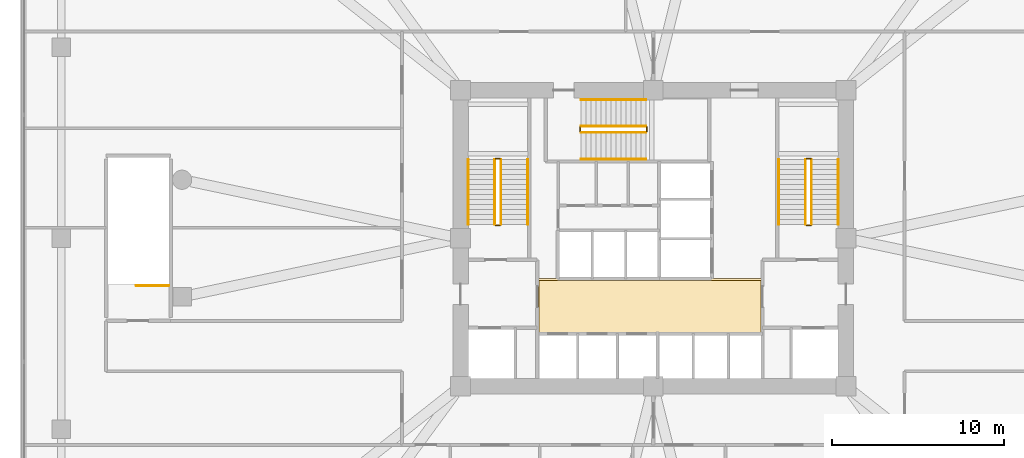
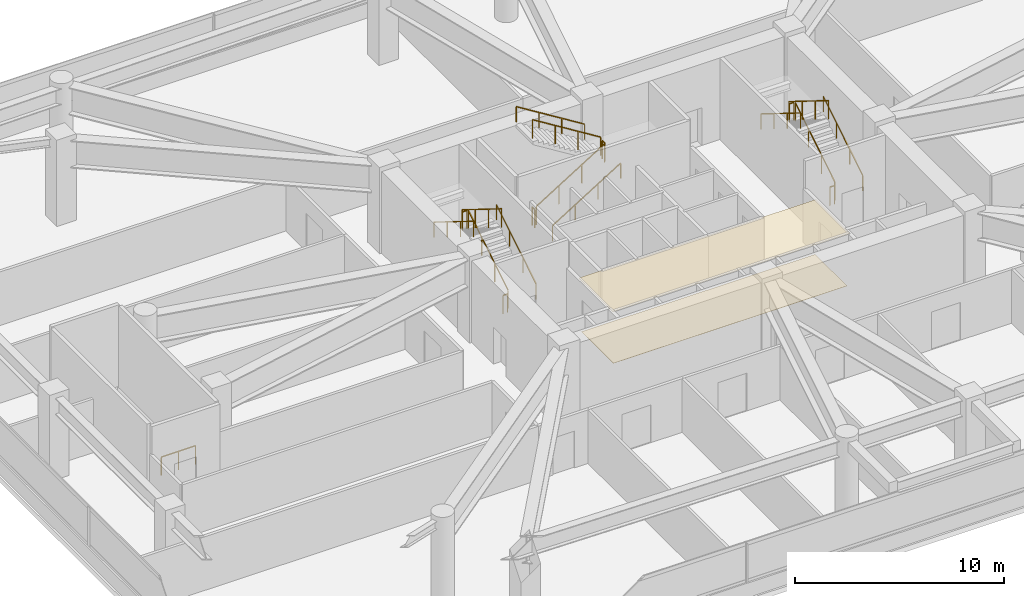
# One storey, part 20 of 21: 19 railings, 2 coverings.
"""IFC4 building model written with IfcOpenShell, lengths in metres."""

from ifc_helpers import new_model, si_unit, derived_unit, direction, frame, origin, origin_2d, place, context, subcontext, project, spatial, polyline, rectangle, outline, extrude, material, layer, layer_set, type_object, element, save


model = new_model("IFC4")

# Units and contexts
model_context = context("Model", 3, precision=1e-05, world=origin(), true_north=direction((0.0, 1.0)))
body_context = subcontext(model_context, "Body", "Model", "MODEL_VIEW")
ifc_project = project(units=[si_unit("LENGTHUNIT", "METRE"), si_unit("AREAUNIT", "SQUARE_METRE"), si_unit("VOLUMEUNIT", "CUBIC_METRE"), si_unit("PLANEANGLEUNIT", "RADIAN"), si_unit("MASSUNIT", "GRAM", prefix="KILO"), derived_unit("THERMALTRANSMITTANCEUNIT", [(si_unit("POWERUNIT", "WATT"), 1), (si_unit("LENGTHUNIT", "METRE"), -2), (si_unit("THERMODYNAMICTEMPERATUREUNIT", "KELVIN"), -1)])], contexts=[model_context])

# Site, building, storey
site_placement = place(None, origin())
site = spatial("IfcSite", under=ifc_project, at=site_placement, CompositionType="ELEMENT")
building_placement = place(site_placement, origin())
building = spatial("IfcBuilding", under=site, at=building_placement, Name="Koralith Skygarden Medical Center", CompositionType="ELEMENT")
storey_placement = place(building_placement, frame((0.0, 0.0, 18.89990234375)))
storey = spatial("IfcBuildingStorey", under=building, at=storey_placement, Name="L04", CompositionType="ELEMENT", Elevation=18.89990234375)

# Coverings
ifc_material_1 = material(Name="Acoustic Mineral Tile")
ifc_layer_1 = layer(ifc_material_1, 0.02001953125)
ifc_layer_set_1 = layer_set([ifc_layer_1], Name="Acoustic Mineral Tile")
covering_type_1 = type_object("IfcCoveringType", Name="Acoustic Hygienic Mineral Ceiling 20", PredefinedType="CEILING", material=ifc_layer_set_1)
covering_1_placement = place(storey_placement, frame((0.0, 0.0, 3.10498046875)))
element("IfcCovering", 1, at=covering_1_placement, inside=storey, type_object=covering_type_1, Name="L04 Core Lobby Acoustic Ceiling", PredefinedType="CEILING", context=body_context, shape_type="SweptSolid", body=[
    extrude(outline(polyline([(30.25, 20.320068359375), (43.35009765625, 20.320068359375), (43.35009765625, 23.56005859375), (30.25, 23.56005859375), (30.25, 20.320068359375)])), origin(), (0.0, 0.0, 1.0), 0.02001953125),
])
ifc_material_2 = material(Name="Medical Terrazzo Flooring")
ifc_layer_2 = layer(ifc_material_2, 0.014892578125)
ifc_layer_set_2 = layer_set([ifc_layer_2], Name="Medical Terrazzo Flooring")
covering_type_2 = type_object("IfcCoveringType", Name="Seamless Antimicrobial Terrazzo Flooring 15", PredefinedType="FLOORING", material=ifc_layer_set_2)
covering_2_placement = place(storey_placement, origin())
element("IfcCovering", 2, at=covering_2_placement, inside=storey, type_object=covering_type_2, Name="L04 Core Lobby Terrazzo Flooring", PredefinedType="FLOORING", context=body_context, shape_type="SweptSolid", body=[
    extrude(outline(polyline([(30.35009765625, 20.419921875), (43.25, 20.419921875), (43.25, 23.4599609375), (30.35009765625, 23.4599609375), (30.35009765625, 20.419921875)])), origin(), (0.0, 0.0, 1.0), 0.01513671875),
])

# Railings
ifc_material_3 = material(Name="Steel ASTM A500 Grade C", Category="steel")
railing_type_1 = type_object("IfcRailingType", Name="Stair Flight Tubular Handrail 920", PredefinedType="HANDRAIL", material=ifc_material_3)
railing_1_placement = place(storey_placement, frame((29.699951171875, 26.699951171875, 0.18017578125)))
element("IfcRailing", 3, at=railing_1_placement, inside=storey, type_object=railing_type_1, Name="L04 ST1 stair handrail 1", PredefinedType="HANDRAIL", context=body_context, shape_type="SweptSolid", body=[
    extrude(rectangle(XDim=0.050048828125, YDim=0.050048828125, at=origin_2d()), frame((0.0, 0.001708984375, 0.89599609375), z_axis=(0.0, 0.849657168412, 0.527335468337), x_axis=(-1.0, 0.0, 0.0)), (0.0, 0.0, 1.0), 4.43310546875),
    extrude(rectangle(XDim=0.0419921875, YDim=0.0419921875, at=origin_2d()), origin(), (0.0, 0.0, 1.0), 0.867919921875),
    extrude(rectangle(XDim=0.0419921875, YDim=0.0419921875, at=origin_2d()), frame((0.0, 1.256591796875, 0.780029296875)), (0.0, 0.0, 1.0), 0.867919921875),
    extrude(rectangle(XDim=0.0419921875, YDim=0.0419921875, at=origin_2d()), frame((0.0, 2.513427734375, 1.559814453125)), (0.0, 0.0, 1.0), 0.867919921875),
    extrude(rectangle(XDim=0.0419921875, YDim=0.0419921875, at=origin_2d()), frame((0.0, 3.77001953125, 2.33984375)), (0.0, 0.0, 1.0), 0.867919921875),
])
railing_2_placement = place(storey_placement, frame((26.25, 30.469970703125, 2.7001953125)))
element("IfcRailing", 4, at=railing_2_placement, inside=storey, type_object=railing_type_1, Name="L04 ST1 stair handrail 2", PredefinedType="HANDRAIL", context=body_context, shape_type="SweptSolid", body=[
    extrude(rectangle(XDim=0.050048828125, YDim=0.050048828125, at=origin_2d()), frame((0.0, -0.001708984375, 0.89599609375), z_axis=(0.0, -0.849657168412, 0.527335468337), x_axis=(1.0, 0.0, 0.0)), (0.0, 0.0, 1.0), 4.43310546875),
    extrude(rectangle(XDim=0.0419921875, YDim=0.0419921875, at=origin_2d()), origin(), (0.0, 0.0, 1.0), 0.867919921875),
    extrude(rectangle(XDim=0.0419921875, YDim=0.0419921875, at=origin_2d()), frame((0.0, -1.256591796875, 0.780029296875)), (0.0, 0.0, 1.0), 0.867919921875),
    extrude(rectangle(XDim=0.0419921875, YDim=0.0419921875, at=origin_2d()), frame((0.0, -2.513427734375, 1.559814453125)), (0.0, 0.0, 1.0), 0.867919921875),
    extrude(rectangle(XDim=0.0419921875, YDim=0.0419921875, at=origin_2d()), frame((0.0, -3.77001953125, 2.33984375)), (0.0, 0.0, 1.0), 0.867919921875),
])
railing_3_placement = place(storey_placement, frame((47.75, 26.699951171875, 0.18017578125)))
element("IfcRailing", 5, at=railing_3_placement, inside=storey, type_object=railing_type_1, Name="L04 ST2 stair handrail 1", PredefinedType="HANDRAIL", context=body_context, shape_type="SweptSolid", body=[
    extrude(rectangle(XDim=0.050048828125, YDim=0.050048828125, at=origin_2d()), frame((0.0, 0.001708984375, 0.89599609375), z_axis=(0.0, 0.849657168412, 0.527335468337), x_axis=(-1.0, 0.0, 0.0)), (0.0, 0.0, 1.0), 4.43310546875),
    extrude(rectangle(XDim=0.0419921875, YDim=0.0419921875, at=origin_2d()), origin(), (0.0, 0.0, 1.0), 0.867919921875),
    extrude(rectangle(XDim=0.0419921875, YDim=0.0419921875, at=origin_2d()), frame((0.0, 1.256591796875, 0.780029296875)), (0.0, 0.0, 1.0), 0.867919921875),
    extrude(rectangle(XDim=0.0419921875, YDim=0.0419921875, at=origin_2d()), frame((0.0, 2.513427734375, 1.559814453125)), (0.0, 0.0, 1.0), 0.867919921875),
    extrude(rectangle(XDim=0.0419921875, YDim=0.0419921875, at=origin_2d()), frame((0.0, 3.77001953125, 2.33984375)), (0.0, 0.0, 1.0), 0.867919921875),
])
railing_4_placement = place(storey_placement, frame((44.300048828125, 30.469970703125, 2.7001953125)))
element("IfcRailing", 6, at=railing_4_placement, inside=storey, type_object=railing_type_1, Name="L04 ST2 stair handrail 2", PredefinedType="HANDRAIL", context=body_context, shape_type="SweptSolid", body=[
    extrude(rectangle(XDim=0.050048828125, YDim=0.050048828125, at=origin_2d()), frame((0.0, -0.001708984375, 0.89599609375), z_axis=(0.0, -0.849657168412, 0.527335468337), x_axis=(1.0, 0.0, 0.0)), (0.0, 0.0, 1.0), 4.43310546875),
    extrude(rectangle(XDim=0.0419921875, YDim=0.0419921875, at=origin_2d()), origin(), (0.0, 0.0, 1.0), 0.867919921875),
    extrude(rectangle(XDim=0.0419921875, YDim=0.0419921875, at=origin_2d()), frame((0.0, -1.256591796875, 0.780029296875)), (0.0, 0.0, 1.0), 0.867919921875),
    extrude(rectangle(XDim=0.0419921875, YDim=0.0419921875, at=origin_2d()), frame((0.0, -2.513427734375, 1.559814453125)), (0.0, 0.0, 1.0), 0.867919921875),
    extrude(rectangle(XDim=0.0419921875, YDim=0.0419921875, at=origin_2d()), frame((0.0, -3.77001953125, 2.33984375)), (0.0, 0.0, 1.0), 0.867919921875),
])
railing_5_placement = place(storey_placement, frame((32.800048828125, 30.5, 0.18017578125)))
element("IfcRailing", 7, at=railing_5_placement, inside=storey, type_object=railing_type_1, Name="L04 ST3 stair handrail 1", PredefinedType="HANDRAIL", context=body_context, shape_type="SweptSolid", body=[
    extrude(rectangle(XDim=0.050048828125, YDim=0.050048828125, at=origin_2d()), frame((0.001708984375, 0.0, 0.89599609375), z_axis=(0.849657168412, 0.0, 0.527335468337), x_axis=(0.0, 1.0, 0.0)), (0.0, 0.0, 1.0), 4.43310546875),
    extrude(rectangle(XDim=0.0419921875, YDim=0.0419921875, at=origin_2d()), origin(), (0.0, 0.0, 1.0), 0.867919921875),
    extrude(rectangle(XDim=0.0419921875, YDim=0.0419921875, at=origin_2d()), frame((1.256591796875, 0.0, 0.780029296875)), (0.0, 0.0, 1.0), 0.867919921875),
    extrude(rectangle(XDim=0.0419921875, YDim=0.0419921875, at=origin_2d()), frame((2.513427734375, 0.0, 1.559814453125)), (0.0, 0.0, 1.0), 0.867919921875),
    extrude(rectangle(XDim=0.0419921875, YDim=0.0419921875, at=origin_2d()), frame((3.77001953125, 0.0, 2.33984375)), (0.0, 0.0, 1.0), 0.867919921875),
])
railing_6_placement = place(storey_placement, frame((36.570068359375, 33.949951171875, 2.7001953125)))
element("IfcRailing", 8, at=railing_6_placement, inside=storey, type_object=railing_type_1, Name="L04 ST3 stair handrail 2", PredefinedType="HANDRAIL", context=body_context, shape_type="SweptSolid", body=[
    extrude(rectangle(XDim=0.050048828125, YDim=0.050048828125, at=origin_2d()), frame((-0.001708984375, 0.0, 0.89599609375), z_axis=(-0.849657168412, 0.0, 0.527335468337), x_axis=(0.0, -1.0, 0.0)), (0.0, 0.0, 1.0), 4.43310546875),
    extrude(rectangle(XDim=0.0419921875, YDim=0.0419921875, at=origin_2d()), origin(), (0.0, 0.0, 1.0), 0.867919921875),
    extrude(rectangle(XDim=0.0419921875, YDim=0.0419921875, at=origin_2d()), frame((-1.256591796875, 0.0, 0.780029296875)), (0.0, 0.0, 1.0), 0.867919921875),
    extrude(rectangle(XDim=0.0419921875, YDim=0.0419921875, at=origin_2d()), frame((-2.513427734375, 0.0, 1.559814453125)), (0.0, 0.0, 1.0), 0.867919921875),
    extrude(rectangle(XDim=0.0419921875, YDim=0.0419921875, at=origin_2d()), frame((-3.77001953125, 0.0, 2.33984375)), (0.0, 0.0, 1.0), 0.867919921875),
])
railing_type_2 = type_object("IfcRailingType", Name="Stair Well Safety Guardrail 1100", PredefinedType="GUARDRAIL", material=ifc_material_3)
railing_7_placement = place(storey_placement, frame((28.14990234375, 26.699951171875, 0.18017578125)))
element("IfcRailing", 9, at=railing_7_placement, inside=storey, type_object=railing_type_2, Name="L04 ST1 stair guard 1", PredefinedType="GUARDRAIL", context=body_context, shape_type="SweptSolid", body=[
    extrude(rectangle(XDim=0.050048828125, YDim=0.050048828125, at=origin_2d()), frame((0.0, 0.001708984375, 1.076171875), z_axis=(0.0, 0.849657168412, 0.527335468337), x_axis=(-1.0, 0.0, 0.0)), (0.0, 0.0, 1.0), 4.43310546875),
    extrude(rectangle(XDim=0.0419921875, YDim=0.0419921875, at=origin_2d()), origin(), (0.0, 0.0, 1.0), 1.048095703125),
    extrude(rectangle(XDim=0.0419921875, YDim=0.0419921875, at=origin_2d()), frame((0.0, 1.256591796875, 0.780029296875)), (0.0, 0.0, 1.0), 1.048095703125),
    extrude(rectangle(XDim=0.0419921875, YDim=0.0419921875, at=origin_2d()), frame((0.0, 2.513427734375, 1.559814453125)), (0.0, 0.0, 1.0), 1.048095703125),
    extrude(rectangle(XDim=0.0419921875, YDim=0.0419921875, at=origin_2d()), frame((0.0, 3.77001953125, 2.33984375)), (0.0, 0.0, 1.0), 1.048095703125),
])
railing_8_placement = place(storey_placement, frame((28.10009765625, 30.52001953125, 2.52001953125)))
element("IfcRailing", 10, at=railing_8_placement, inside=storey, type_object=railing_type_2, Name="L04 ST1 stair guard 2", PredefinedType="GUARDRAIL", context=body_context, shape_type="SweptSolid", body=[
    extrude(rectangle(XDim=0.050048828125, YDim=0.050048828125, at=origin_2d()), frame((-0.001953125, 0.0, 1.0751953125), z_axis=(-1.0, 0.0, 0.0), x_axis=(0.0, -1.0, 0.0)), (0.0, 0.0, 1.0), 0.24609375),
    extrude(rectangle(XDim=0.0419921875, YDim=0.0419921875, at=origin_2d()), origin(), (0.0, 0.0, 1.0), 1.048095703125),
    extrude(rectangle(XDim=0.0419921875, YDim=0.0419921875, at=origin_2d()), frame((-0.25, 0.0, 0.0)), (0.0, 0.0, 1.0), 1.048095703125),
])
railing_9_placement = place(storey_placement, frame((27.800048828125, 30.469970703125, 2.7001953125)))
element("IfcRailing", 11, at=railing_9_placement, inside=storey, type_object=railing_type_2, Name="L04 ST1 stair guard 3", PredefinedType="GUARDRAIL", context=body_context, shape_type="SweptSolid", body=[
    extrude(rectangle(XDim=0.050048828125, YDim=0.050048828125, at=origin_2d()), frame((0.0, -0.001708984375, 1.076171875), z_axis=(0.0, -0.849657168412, 0.527335468337), x_axis=(1.0, 0.0, 0.0)), (0.0, 0.0, 1.0), 4.43310546875),
    extrude(rectangle(XDim=0.0419921875, YDim=0.0419921875, at=origin_2d()), origin(), (0.0, 0.0, 1.0), 1.048095703125),
    extrude(rectangle(XDim=0.0419921875, YDim=0.0419921875, at=origin_2d()), frame((0.0, -1.256591796875, 0.780029296875)), (0.0, 0.0, 1.0), 1.048095703125),
    extrude(rectangle(XDim=0.0419921875, YDim=0.0419921875, at=origin_2d()), frame((0.0, -2.513427734375, 1.559814453125)), (0.0, 0.0, 1.0), 1.048095703125),
    extrude(rectangle(XDim=0.0419921875, YDim=0.0419921875, at=origin_2d()), frame((0.0, -3.77001953125, 2.33984375)), (0.0, 0.0, 1.0), 1.048095703125),
])
railing_10_placement = place(storey_placement, frame((28.10009765625, 26.64990234375, 0.0)))
element("IfcRailing", 12, at=railing_10_placement, inside=storey, type_object=railing_type_2, Name="L04 ST1 stair guard 4", PredefinedType="GUARDRAIL", context=body_context, shape_type="SweptSolid", body=[
    extrude(rectangle(XDim=0.050048828125, YDim=0.050048828125, at=origin_2d()), frame((-0.001953125, 0.0, 1.0751953125), z_axis=(-1.0, 0.0, 0.0), x_axis=(0.0, -1.0, 0.0)), (0.0, 0.0, 1.0), 0.24609375),
    extrude(rectangle(XDim=0.0419921875, YDim=0.0419921875, at=origin_2d()), origin(), (0.0, 0.0, 1.0), 1.048095703125),
    extrude(rectangle(XDim=0.0419921875, YDim=0.0419921875, at=origin_2d()), frame((-0.25, 0.0, 0.0)), (0.0, 0.0, 1.0), 1.048095703125),
])
railing_11_placement = place(storey_placement, frame((46.199951171875, 26.699951171875, 0.18017578125)))
element("IfcRailing", 13, at=railing_11_placement, inside=storey, type_object=railing_type_2, Name="L04 ST2 stair guard 1", PredefinedType="GUARDRAIL", context=body_context, shape_type="SweptSolid", body=[
    extrude(rectangle(XDim=0.050048828125, YDim=0.050048828125, at=origin_2d()), frame((0.0, 0.001708984375, 1.076171875), z_axis=(0.0, 0.849657168412, 0.527335468337), x_axis=(-1.0, 0.0, 0.0)), (0.0, 0.0, 1.0), 4.43310546875),
    extrude(rectangle(XDim=0.0419921875, YDim=0.0419921875, at=origin_2d()), origin(), (0.0, 0.0, 1.0), 1.048095703125),
    extrude(rectangle(XDim=0.0419921875, YDim=0.0419921875, at=origin_2d()), frame((0.0, 1.256591796875, 0.780029296875)), (0.0, 0.0, 1.0), 1.048095703125),
    extrude(rectangle(XDim=0.0419921875, YDim=0.0419921875, at=origin_2d()), frame((0.0, 2.513427734375, 1.559814453125)), (0.0, 0.0, 1.0), 1.048095703125),
    extrude(rectangle(XDim=0.0419921875, YDim=0.0419921875, at=origin_2d()), frame((0.0, 3.77001953125, 2.33984375)), (0.0, 0.0, 1.0), 1.048095703125),
])
railing_12_placement = place(storey_placement, frame((46.14990234375, 30.52001953125, 2.52001953125)))
element("IfcRailing", 14, at=railing_12_placement, inside=storey, type_object=railing_type_2, Name="L04 ST2 stair guard 2", PredefinedType="GUARDRAIL", context=body_context, shape_type="SweptSolid", body=[
    extrude(rectangle(XDim=0.050048828125, YDim=0.050048828125, at=origin_2d()), frame((-0.001953125, 0.0, 1.0751953125), z_axis=(-1.0, 0.0, 0.0), x_axis=(0.0, -1.0, 0.0)), (0.0, 0.0, 1.0), 0.24609375),
    extrude(rectangle(XDim=0.0419921875, YDim=0.0419921875, at=origin_2d()), origin(), (0.0, 0.0, 1.0), 1.048095703125),
    extrude(rectangle(XDim=0.0419921875, YDim=0.0419921875, at=origin_2d()), frame((-0.25, 0.0, 0.0)), (0.0, 0.0, 1.0), 1.048095703125),
])
railing_13_placement = place(storey_placement, frame((45.85009765625, 30.469970703125, 2.7001953125)))
element("IfcRailing", 15, at=railing_13_placement, inside=storey, type_object=railing_type_2, Name="L04 ST2 stair guard 3", PredefinedType="GUARDRAIL", context=body_context, shape_type="SweptSolid", body=[
    extrude(rectangle(XDim=0.050048828125, YDim=0.050048828125, at=origin_2d()), frame((0.0, -0.001708984375, 1.076171875), z_axis=(0.0, -0.849657168412, 0.527335468337), x_axis=(1.0, 0.0, 0.0)), (0.0, 0.0, 1.0), 4.43310546875),
    extrude(rectangle(XDim=0.0419921875, YDim=0.0419921875, at=origin_2d()), origin(), (0.0, 0.0, 1.0), 1.048095703125),
    extrude(rectangle(XDim=0.0419921875, YDim=0.0419921875, at=origin_2d()), frame((0.0, -1.256591796875, 0.780029296875)), (0.0, 0.0, 1.0), 1.048095703125),
    extrude(rectangle(XDim=0.0419921875, YDim=0.0419921875, at=origin_2d()), frame((0.0, -2.513427734375, 1.559814453125)), (0.0, 0.0, 1.0), 1.048095703125),
    extrude(rectangle(XDim=0.0419921875, YDim=0.0419921875, at=origin_2d()), frame((0.0, -3.77001953125, 2.33984375)), (0.0, 0.0, 1.0), 1.048095703125),
])
railing_14_placement = place(storey_placement, frame((46.14990234375, 26.64990234375, 0.0)))
element("IfcRailing", 16, at=railing_14_placement, inside=storey, type_object=railing_type_2, Name="L04 ST2 stair guard 4", PredefinedType="GUARDRAIL", context=body_context, shape_type="SweptSolid", body=[
    extrude(rectangle(XDim=0.050048828125, YDim=0.050048828125, at=origin_2d()), frame((-0.001953125, 0.0, 1.0751953125), z_axis=(-1.0, 0.0, 0.0), x_axis=(0.0, -1.0, 0.0)), (0.0, 0.0, 1.0), 0.24609375),
    extrude(rectangle(XDim=0.0419921875, YDim=0.0419921875, at=origin_2d()), origin(), (0.0, 0.0, 1.0), 1.048095703125),
    extrude(rectangle(XDim=0.0419921875, YDim=0.0419921875, at=origin_2d()), frame((-0.25, 0.0, 0.0)), (0.0, 0.0, 1.0), 1.048095703125),
])
railing_15_placement = place(storey_placement, frame((32.800048828125, 32.050048828125, 0.18017578125)))
element("IfcRailing", 17, at=railing_15_placement, inside=storey, type_object=railing_type_2, Name="L04 ST3 stair guard 1", PredefinedType="GUARDRAIL", context=body_context, shape_type="SweptSolid", body=[
    extrude(rectangle(XDim=0.050048828125, YDim=0.050048828125, at=origin_2d()), frame((0.001708984375, 0.0, 1.076171875), z_axis=(0.849657168412, 0.0, 0.527335468337), x_axis=(0.0, 1.0, 0.0)), (0.0, 0.0, 1.0), 4.43310546875),
    extrude(rectangle(XDim=0.0419921875, YDim=0.0419921875, at=origin_2d()), origin(), (0.0, 0.0, 1.0), 1.048095703125),
    extrude(rectangle(XDim=0.0419921875, YDim=0.0419921875, at=origin_2d()), frame((1.256591796875, 0.0, 0.780029296875)), (0.0, 0.0, 1.0), 1.048095703125),
    extrude(rectangle(XDim=0.0419921875, YDim=0.0419921875, at=origin_2d()), frame((2.513427734375, 0.0, 1.559814453125)), (0.0, 0.0, 1.0), 1.048095703125),
    extrude(rectangle(XDim=0.0419921875, YDim=0.0419921875, at=origin_2d()), frame((3.77001953125, 0.0, 2.33984375)), (0.0, 0.0, 1.0), 1.048095703125),
])
railing_16_placement = place(storey_placement, frame((36.6201171875, 32.10009765625, 2.52001953125)))
element("IfcRailing", 18, at=railing_16_placement, inside=storey, type_object=railing_type_2, Name="L04 ST3 stair guard 2", PredefinedType="GUARDRAIL", context=body_context, shape_type="SweptSolid", body=[
    extrude(rectangle(XDim=0.050048828125, YDim=0.050048828125, at=origin_2d()), frame((0.0, 0.001953125, 1.0751953125), z_axis=(0.0, 1.0, 0.0), x_axis=(-1.0, 0.0, 0.0)), (0.0, 0.0, 1.0), 0.24609375),
    extrude(rectangle(XDim=0.0419921875, YDim=0.0419921875, at=origin_2d()), origin(), (0.0, 0.0, 1.0), 1.048095703125),
    extrude(rectangle(XDim=0.0419921875, YDim=0.0419921875, at=origin_2d()), frame((0.0, 0.25, 0.0)), (0.0, 0.0, 1.0), 1.048095703125),
])
railing_17_placement = place(storey_placement, frame((36.570068359375, 32.39990234375, 2.7001953125)))
element("IfcRailing", 19, at=railing_17_placement, inside=storey, type_object=railing_type_2, Name="L04 ST3 stair guard 3", PredefinedType="GUARDRAIL", context=body_context, shape_type="SweptSolid", body=[
    extrude(rectangle(XDim=0.050048828125, YDim=0.050048828125, at=origin_2d()), frame((-0.001708984375, 0.0, 1.076171875), z_axis=(-0.849657168412, 0.0, 0.527335468337), x_axis=(0.0, -1.0, 0.0)), (0.0, 0.0, 1.0), 4.43310546875),
    extrude(rectangle(XDim=0.0419921875, YDim=0.0419921875, at=origin_2d()), origin(), (0.0, 0.0, 1.0), 1.048095703125),
    extrude(rectangle(XDim=0.0419921875, YDim=0.0419921875, at=origin_2d()), frame((-1.256591796875, 0.0, 0.780029296875)), (0.0, 0.0, 1.0), 1.048095703125),
    extrude(rectangle(XDim=0.0419921875, YDim=0.0419921875, at=origin_2d()), frame((-2.513427734375, 0.0, 1.559814453125)), (0.0, 0.0, 1.0), 1.048095703125),
    extrude(rectangle(XDim=0.0419921875, YDim=0.0419921875, at=origin_2d()), frame((-3.77001953125, 0.0, 2.33984375)), (0.0, 0.0, 1.0), 1.048095703125),
])
railing_18_placement = place(storey_placement, frame((32.75, 32.10009765625, 0.0)))
element("IfcRailing", 20, at=railing_18_placement, inside=storey, type_object=railing_type_2, Name="L04 ST3 stair guard 4", PredefinedType="GUARDRAIL", context=body_context, shape_type="SweptSolid", body=[
    extrude(rectangle(XDim=0.050048828125, YDim=0.050048828125, at=origin_2d()), frame((0.0, 0.001953125, 1.0751953125), z_axis=(0.0, 1.0, 0.0), x_axis=(-1.0, 0.0, 0.0)), (0.0, 0.0, 1.0), 0.24609375),
    extrude(rectangle(XDim=0.0419921875, YDim=0.0419921875, at=origin_2d()), origin(), (0.0, 0.0, 1.0), 1.048095703125),
    extrude(rectangle(XDim=0.0419921875, YDim=0.0419921875, at=origin_2d()), frame((0.0, 0.25, 0.0)), (0.0, 0.0, 1.0), 1.048095703125),
])
railing_19_placement = place(storey_placement, frame((8.85009765625, 23.14990234375, 0.0)))
element("IfcRailing", 21, at=railing_19_placement, inside=storey, type_object=railing_type_2, Name="L04 ST4 top well guard 1", PredefinedType="GUARDRAIL", context=body_context, shape_type="SweptSolid", body=[
    extrude(rectangle(XDim=0.050048828125, YDim=0.050048828125, at=origin_2d()), frame((-0.001953125, 0.0, 1.0751953125), z_axis=(-1.0, 0.0, 0.0), x_axis=(0.0, -1.0, 0.0)), (0.0, 0.0, 1.0), 1.896240234375),
    extrude(rectangle(XDim=0.0419921875, YDim=0.0419921875, at=origin_2d()), origin(), (0.0, 0.0, 1.0), 1.048095703125),
    extrude(rectangle(XDim=0.0419921875, YDim=0.0419921875, at=origin_2d()), frame((-0.9501953125, 0.0, 0.0)), (0.0, 0.0, 1.0), 1.048095703125),
    extrude(rectangle(XDim=0.0419921875, YDim=0.0419921875, at=origin_2d()), frame((-1.900146484375, 0.0, 0.0)), (0.0, 0.0, 1.0), 1.048095703125),
])

save(model, "model.ifc")
